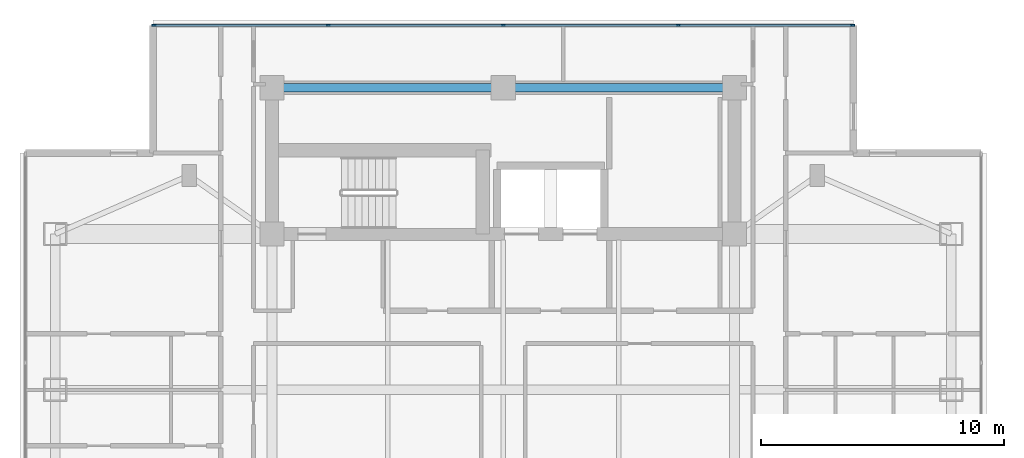
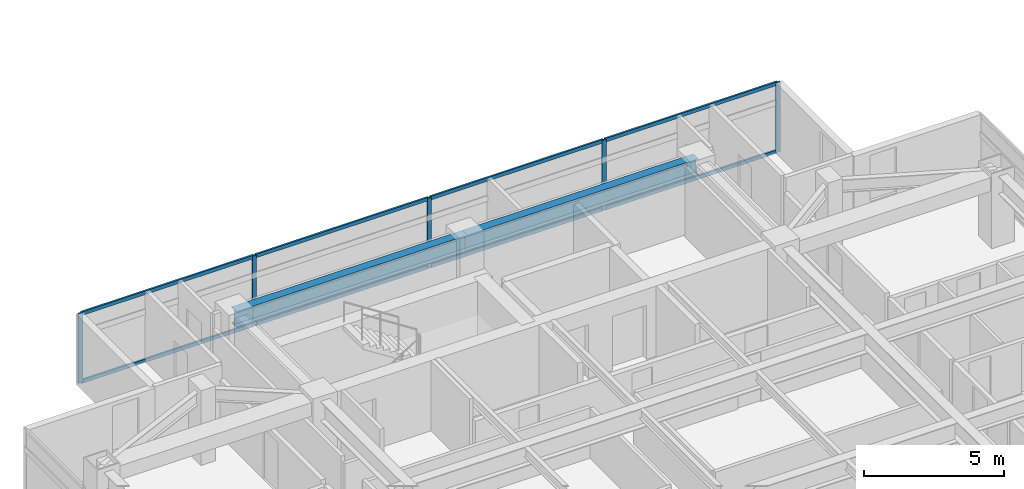
# One storey, part 8 of 24: 13 members, 2 beams, 1 element without a shape of its own.
"""IFC4 building model written with IfcOpenShell, lengths in metres."""

from ifc_helpers import new_model, si_unit, direction, frame, origin, origin_2d, place, context, subcontext, project, spatial, rectangle, i_section, extrude, material, material_profile, profile_set, type_object, element, aggregate, save


model = new_model("IFC4")

# Units and contexts
model_context = context("Model", 3, precision=1e-05, world=origin(), true_north=direction((0.0, 1.0)))
body_context = subcontext(model_context, "Body", "Model", "MODEL_VIEW")
ifc_project = project(units=[si_unit("LENGTHUNIT", "METRE"), si_unit("AREAUNIT", "SQUARE_METRE"), si_unit("VOLUMEUNIT", "CUBIC_METRE"), si_unit("PLANEANGLEUNIT", "RADIAN"), si_unit("MASSUNIT", "GRAM", prefix="KILO")], contexts=[model_context])

# Site, building, storey
site_placement = place(None, origin())
site = spatial("IfcSite", under=ifc_project, at=site_placement, CompositionType="ELEMENT")
building_placement = place(site_placement, origin())
building = spatial("IfcBuilding", under=site, at=building_placement, Name="Mirazonda Arch Towers", CompositionType="ELEMENT")
storey_placement = place(building_placement, frame((0.0, 0.0, 154.39990234375)))
storey = spatial("IfcBuildingStorey", under=building, at=storey_placement, Name="L43", CompositionType="ELEMENT", Elevation=154.39990234375)

# Beams
ifc_material_1 = material(Name="Steel ASTM A992 Grade 50", Category="steel")
ifc_material_profile_1 = material_profile(ifc_material_1, i_section(OverallWidth=0.35498046875, OverallDepth=0.696044921875, WebThickness=0.015380859375, FlangeThickness=0.02490234375, at=origin_2d()), Name="W27X146")
ifc_profile_set_1 = profile_set([ifc_material_profile_1], Name="Steel ASTM A992 Grade 50")
beam_type = type_object("IfcBeamType", Name="BM-INT-W27X146", PredefinedType="BEAM", material=ifc_profile_set_1)
for number, where, z_axis, x_axis, name in (
    (1, (11.0, 43.60009765625, 2.7021484375), (1.0, 0.0, 0.0), (0.0, 1.0, 0.0), "L43 Floor Beam BM-T1-L43-CN1"),
    (2, (20.5, 43.60009765625, 2.7021484375), (1.0, 0.0, 0.0), (0.0, 1.0, 0.0), "L43 Floor Beam BM-T1-L43-CN2"),
):
    element("IfcBeam", number, at=place(storey_placement, frame(where, z_axis=z_axis, x_axis=x_axis)), inside=storey, type_object=beam_type, Name=name, PredefinedType="BEAM", context=body_context, shape_type="SweptSolid", body=[
        extrude(i_section(OverallWidth=0.35498046875, OverallDepth=0.696044921875, WebThickness=0.015380859375, FlangeThickness=0.02490234375, at=origin_2d()), origin(), (0.0, 0.0, 1.0), 9.5),
    ])

# Curtain wall, members
ifc_material_2 = material(Name="Anodised Aluminium and Low-E Glass", Category="aluminium")
curtain_wall_type = type_object("IfcCurtainWallType", Name="CW-RES-UNIT", PredefinedType="NOTDEFINED", material=ifc_material_2)
curtain_wall_placement = place(storey_placement, origin())
curtain_wall = element("IfcCurtainWall", 3, at=curtain_wall_placement, inside=storey, type_object=curtain_wall_type, Name="L43 T1 N Facade CW-L43-T1-N", PredefinedType="NOTDEFINED")
ifc_material_3 = material(Name="Anodised Aluminium Alloy", Category="aluminium")
ifc_material_profile_2 = material_profile(ifc_material_3, rectangle(XDim=0.074951171875, YDim=0.175048828125, at=origin_2d()), Name="ALU-MULL-75x175")
ifc_profile_set_2 = profile_set([ifc_material_profile_2], Name="Anodised Aluminium Alloy")
member_type_1 = type_object("IfcMemberType", Name="MULL-CW-RES-UNIT", PredefinedType="MULLION", material=ifc_profile_set_2)
member_1_placement = place(storey_placement, frame((6.152587890625, 46.169921875, 0.0), z_axis=(0.0, 0.0, 1.0), x_axis=(0.0, 1.0, 0.0)))
member_1 = element("IfcMember", 4, at=member_1_placement, type_object=member_type_1, Name="CW-104 mullion 1", PredefinedType="MULLION", context=body_context, shape_type="SweptSolid", body=[
    extrude(rectangle(XDim=0.074951171875, YDim=0.175048828125, at=origin_2d()), origin(), (0.0, 0.0, 1.0), 3.030029296875),
])
member_2_placement = place(storey_placement, frame((13.3076171875, 46.169921875, 0.0), z_axis=(0.0, 0.0, 1.0), x_axis=(0.0, 1.0, 0.0)))
member_2 = element("IfcMember", 5, at=member_2_placement, type_object=member_type_1, Name="CW-104 mullion 2", PredefinedType="MULLION", context=body_context, shape_type="SweptSolid", body=[
    extrude(rectangle(XDim=0.074951171875, YDim=0.175048828125, at=origin_2d()), origin(), (0.0, 0.0, 1.0), 3.030029296875),
])
member_3_placement = place(storey_placement, frame((20.5, 46.169921875, 0.0), z_axis=(0.0, 0.0, 1.0), x_axis=(0.0, 1.0, 0.0)))
member_3 = element("IfcMember", 6, at=member_3_placement, type_object=member_type_1, Name="CW-104 mullion 3", PredefinedType="MULLION", context=body_context, shape_type="SweptSolid", body=[
    extrude(rectangle(XDim=0.074951171875, YDim=0.175048828125, at=origin_2d()), origin(), (0.0, 0.0, 1.0), 3.030029296875),
])
member_4_placement = place(storey_placement, frame((27.6923828125, 46.169921875, 0.0), z_axis=(0.0, 0.0, 1.0), x_axis=(0.0, 1.0, 0.0)))
member_4 = element("IfcMember", 7, at=member_4_placement, type_object=member_type_1, Name="CW-104 mullion 4", PredefinedType="MULLION", context=body_context, shape_type="SweptSolid", body=[
    extrude(rectangle(XDim=0.074951171875, YDim=0.175048828125, at=origin_2d()), origin(), (0.0, 0.0, 1.0), 3.030029296875),
])
member_5_placement = place(storey_placement, frame((34.847412109375, 46.169921875, 0.0), z_axis=(0.0, 0.0, 1.0), x_axis=(0.0, 1.0, 0.0)))
member_5 = element("IfcMember", 8, at=member_5_placement, type_object=member_type_1, Name="CW-104 mullion 5", PredefinedType="MULLION", context=body_context, shape_type="SweptSolid", body=[
    extrude(rectangle(XDim=0.074951171875, YDim=0.175048828125, at=origin_2d()), origin(), (0.0, 0.0, 1.0), 3.030029296875),
])
ifc_material_profile_3 = material_profile(ifc_material_3, rectangle(XDim=0.074951171875, YDim=0.155029296875, at=origin_2d()), Name="ALU-TRAN-75x155")
ifc_profile_set_3 = profile_set([ifc_material_profile_3], Name="Anodised Aluminium Alloy")
member_type_2 = type_object("IfcMemberType", Name="TRAN-CW-RES-UNIT", PredefinedType="USERDEFINED", material=ifc_profile_set_3)
member_6_placement = place(storey_placement, frame((6.18994140625, 46.169921875, 0.03759765625), z_axis=(1.0, 0.0, 0.0), x_axis=(0.0, 1.0, 0.0)))
member_6 = element("IfcMember", 9, at=member_6_placement, type_object=member_type_2, Name="CW-104 transom 1.1", ObjectType="TRANSOM", PredefinedType="USERDEFINED", context=body_context, shape_type="SweptSolid", body=[
    extrude(rectangle(XDim=0.074951171875, YDim=0.155029296875, at=origin_2d()), origin(), (0.0, 0.0, 1.0), 7.080078125),
])
member_7_placement = place(storey_placement, frame((6.18994140625, 46.169921875, 2.99267578125), z_axis=(1.0, 0.0, 0.0), x_axis=(0.0, 1.0, 0.0)))
member_7 = element("IfcMember", 10, at=member_7_placement, type_object=member_type_2, Name="CW-104 transom 1.2", ObjectType="TRANSOM", PredefinedType="USERDEFINED", context=body_context, shape_type="SweptSolid", body=[
    extrude(rectangle(XDim=0.074951171875, YDim=0.155029296875, at=origin_2d()), origin(), (0.0, 0.0, 1.0), 7.080078125),
])
member_8_placement = place(storey_placement, frame((13.344970703125, 46.169921875, 0.03759765625), z_axis=(1.0, 0.0, 0.0), x_axis=(0.0, 1.0, 0.0)))
member_8 = element("IfcMember", 11, at=member_8_placement, type_object=member_type_2, Name="CW-104 transom 2.1", ObjectType="TRANSOM", PredefinedType="USERDEFINED", context=body_context, shape_type="SweptSolid", body=[
    extrude(rectangle(XDim=0.074951171875, YDim=0.155029296875, at=origin_2d()), origin(), (0.0, 0.0, 1.0), 7.117431640625),
])
member_9_placement = place(storey_placement, frame((13.344970703125, 46.169921875, 2.99267578125), z_axis=(1.0, 0.0, 0.0), x_axis=(0.0, 1.0, 0.0)))
member_9 = element("IfcMember", 12, at=member_9_placement, type_object=member_type_2, Name="CW-104 transom 2.2", ObjectType="TRANSOM", PredefinedType="USERDEFINED", context=body_context, shape_type="SweptSolid", body=[
    extrude(rectangle(XDim=0.074951171875, YDim=0.155029296875, at=origin_2d()), origin(), (0.0, 0.0, 1.0), 7.117431640625),
])
member_10_placement = place(storey_placement, frame((20.53759765625, 46.169921875, 0.03759765625), z_axis=(1.0, 0.0, 0.0), x_axis=(0.0, 1.0, 0.0)))
member_10 = element("IfcMember", 13, at=member_10_placement, type_object=member_type_2, Name="CW-104 transom 3.1", ObjectType="TRANSOM", PredefinedType="USERDEFINED", context=body_context, shape_type="SweptSolid", body=[
    extrude(rectangle(XDim=0.074951171875, YDim=0.155029296875, at=origin_2d()), origin(), (0.0, 0.0, 1.0), 7.117431640625),
])
member_11_placement = place(storey_placement, frame((20.53759765625, 46.169921875, 2.99267578125), z_axis=(1.0, 0.0, 0.0), x_axis=(0.0, 1.0, 0.0)))
member_11 = element("IfcMember", 14, at=member_11_placement, type_object=member_type_2, Name="CW-104 transom 3.2", ObjectType="TRANSOM", PredefinedType="USERDEFINED", context=body_context, shape_type="SweptSolid", body=[
    extrude(rectangle(XDim=0.074951171875, YDim=0.155029296875, at=origin_2d()), origin(), (0.0, 0.0, 1.0), 7.117431640625),
])
member_12_placement = place(storey_placement, frame((27.72998046875, 46.169921875, 0.03759765625), z_axis=(1.0, 0.0, 0.0), x_axis=(0.0, 1.0, 0.0)))
member_12 = element("IfcMember", 15, at=member_12_placement, type_object=member_type_2, Name="CW-104 transom 4.1", ObjectType="TRANSOM", PredefinedType="USERDEFINED", context=body_context, shape_type="SweptSolid", body=[
    extrude(rectangle(XDim=0.074951171875, YDim=0.155029296875, at=origin_2d()), origin(), (0.0, 0.0, 1.0), 7.080078125),
])
member_13_placement = place(storey_placement, frame((27.72998046875, 46.169921875, 2.99267578125), z_axis=(1.0, 0.0, 0.0), x_axis=(0.0, 1.0, 0.0)))
member_13 = element("IfcMember", 16, at=member_13_placement, type_object=member_type_2, Name="CW-104 transom 4.2", ObjectType="TRANSOM", PredefinedType="USERDEFINED", context=body_context, shape_type="SweptSolid", body=[
    extrude(rectangle(XDim=0.074951171875, YDim=0.155029296875, at=origin_2d()), origin(), (0.0, 0.0, 1.0), 7.080078125),
])
aggregate(curtain_wall, [member_1, member_2, member_3, member_4, member_5, member_6, member_7, member_8, member_9, member_10, member_11, member_12, member_13])

save(model, "model.ifc")
